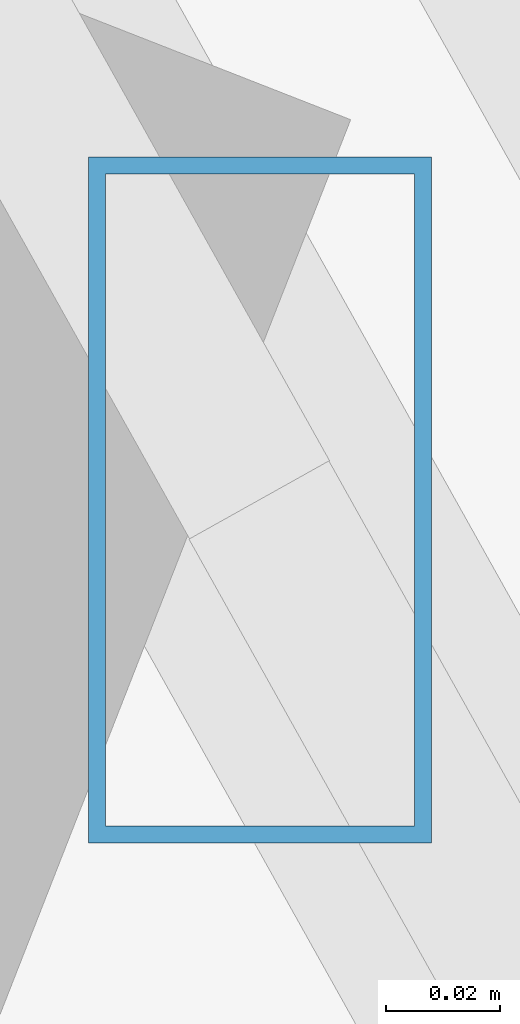
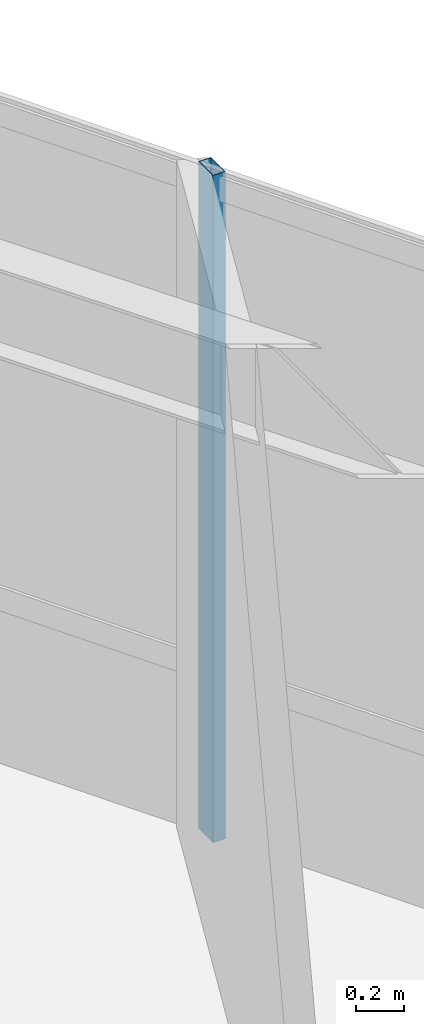
# One storey, part 36 of 46: 1 member, 1 element without a shape of its own.
"""IFC4 building model written with IfcOpenShell, lengths in metres."""

from ifc_helpers import new_model, si_unit, direction, frame, origin, origin_2d, place, context, subcontext, project, spatial, hollow_rectangle, extrude, source, transform, mapped, material, material_profile, profile_set, type_object, type_shapes, element, aggregate, save


model = new_model("IFC4")

# Units and contexts
model_context = context("Model", 3, precision=1e-05, world=origin(), true_north=direction((0.0, 1.0)))
body_context = subcontext(model_context, "Body", "Model", "MODEL_VIEW")
ifc_project = project(units=[si_unit("LENGTHUNIT", "METRE"), si_unit("AREAUNIT", "SQUARE_METRE"), si_unit("VOLUMEUNIT", "CUBIC_METRE"), si_unit("PLANEANGLEUNIT", "RADIAN"), si_unit("MASSUNIT", "GRAM", prefix="KILO")], contexts=[model_context])

# Site, building, storey
site_placement = place(None, origin())
site = spatial("IfcSite", under=ifc_project, at=site_placement, CompositionType="ELEMENT")
building_placement = place(site_placement, origin())
building = spatial("IfcBuilding", under=site, at=building_placement, Name="Caelisora Broadcast Tower", CompositionType="ELEMENT")
storey_placement = place(building_placement, frame((0.0, 0.0, 251.75)))
storey = spatial("IfcBuildingStorey", under=building, at=storey_placement, Name="L66", CompositionType="ELEMENT", Elevation=251.75)

# Curtain wall, member
ifc_material_1 = material(Name="Unitised Aluminium and Low-E Glass Curtain Wall", Category="glass")
curtain_wall_type = type_object("IfcCurtainWallType", Name="CW-Z5", PredefinedType="NOTDEFINED", material=ifc_material_1)
curtain_wall_placement = place(storey_placement, origin())
curtain_wall = element("IfcCurtainWall", 1, at=curtain_wall_placement, inside=storey, type_object=curtain_wall_type, Name="L66 curtain wall CW-Z5", PredefinedType="NOTDEFINED")
ifc_material_2 = material(Name="Aluminium 6063-T6 Anodised Terracotta Bronze", Category="aluminium")
ifc_material_profile = material_profile(ifc_material_2, hollow_rectangle(XDim=0.06005859375, YDim=0.1201171875, WallThickness=0.0029296875, at=origin_2d()), Name="Aluminium 6063-T6 Anodised Terracotta Bronze")
ifc_profile_set = profile_set([ifc_material_profile], Name="Aluminium 6063-T6 Anodised Terracotta Bronze")
member_type = type_object("IfcMemberType", Name="CWM-04", PredefinedType="MULLION", material=ifc_profile_set)
shared_shape = source(origin(), body_context, "Body", "SweptSolid", [
    extrude(hollow_rectangle(XDim=0.06005859375, YDim=0.1201171875, WallThickness=0.0029296875, at=origin_2d()), origin(), (0.0, 0.0, 1.0), 3.39990234375),
])
type_shapes(member_type, [shared_shape])
member_placement = place(storey_placement, frame((45.368896484375, 42.603271484375, 0.0), z_axis=(0.0, 0.0, 1.0), x_axis=(1.0, 0.0, 0.0)))
member = element("IfcMember", 2, at=member_placement, type_object=member_type, Name="L66-CW-B01 mullion #2", PredefinedType="MULLION", context=body_context, shape_type="MappedRepresentation", body=[
    mapped(shared_shape, transform((0.0, 0.0, 0.0), scale=1.0)),
])
aggregate(curtain_wall, [member])

save(model, "model.ifc")
